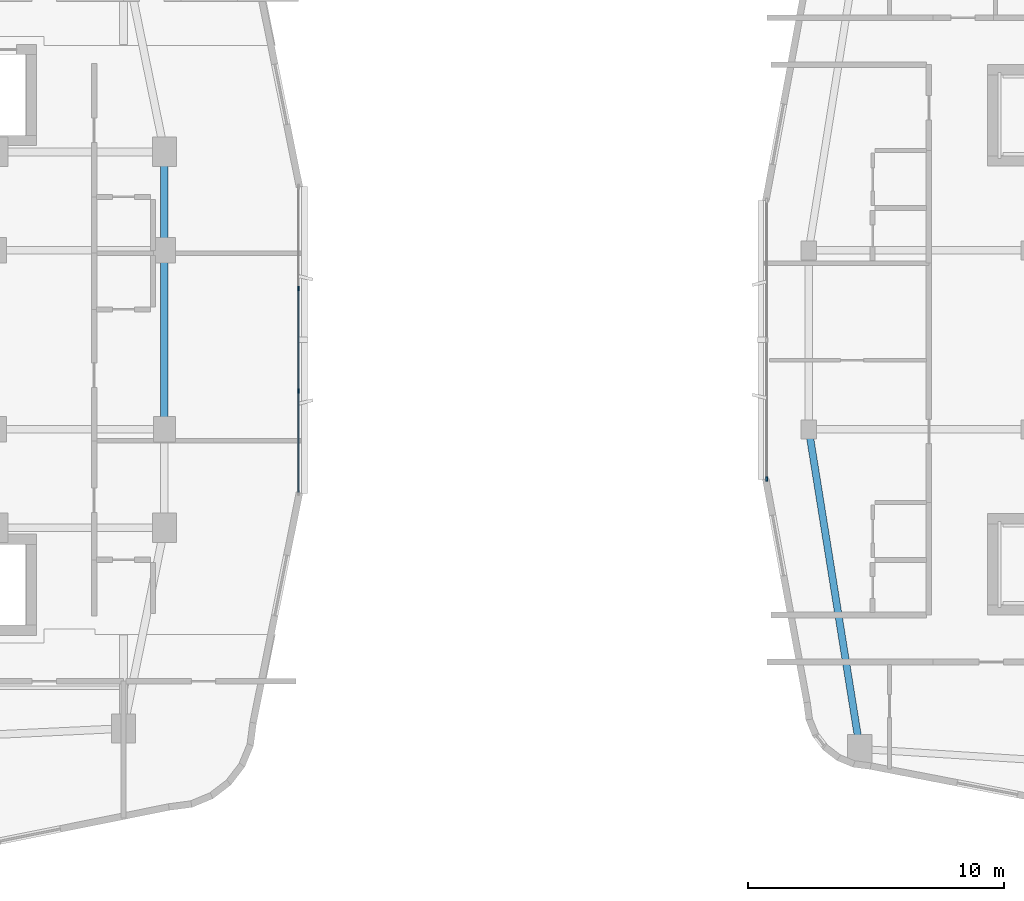
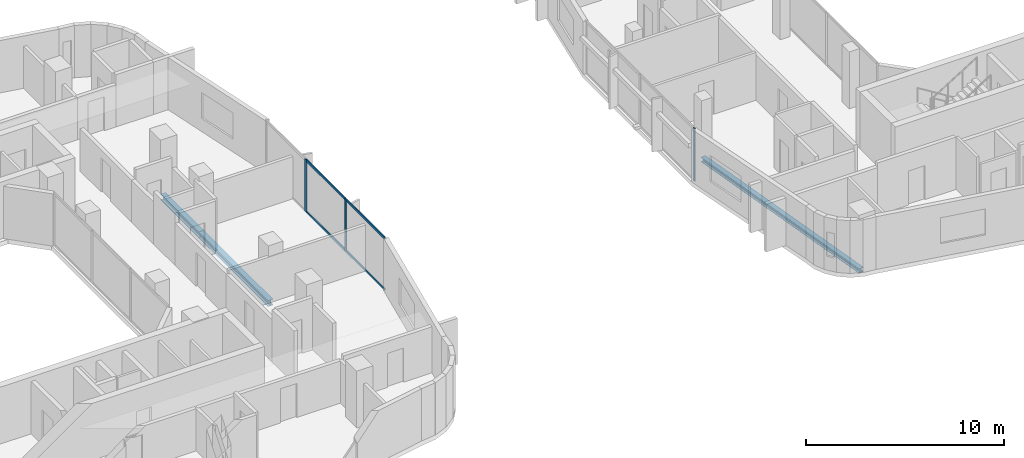
# One storey, part 5 of 26: 7 members, 3 beams, 2 elements without a shape of their own.
"""IFC4 building model written with IfcOpenShell, lengths in metres."""

from ifc_helpers import new_model, si_unit, derived_unit, direction, frame, origin, origin_2d, place, context, subcontext, project, spatial, rectangle, i_section, extrude, material, layer, layer_set, material_profile, profile_set, type_object, element, aggregate, save


model = new_model("IFC4")

# Units and contexts
model_context = context("Model", 3, precision=1e-05, world=origin(), true_north=direction((0.0, 1.0)))
body_context = subcontext(model_context, "Body", "Model", "MODEL_VIEW")
ifc_project = project(units=[si_unit("LENGTHUNIT", "METRE"), si_unit("AREAUNIT", "SQUARE_METRE"), si_unit("VOLUMEUNIT", "CUBIC_METRE"), si_unit("PLANEANGLEUNIT", "RADIAN"), si_unit("MASSUNIT", "GRAM", prefix="KILO"), derived_unit("THERMALTRANSMITTANCEUNIT", [(si_unit("POWERUNIT", "WATT"), 1), (si_unit("LENGTHUNIT", "METRE"), -2), (si_unit("THERMODYNAMICTEMPERATUREUNIT", "KELVIN"), -1)])], contexts=[model_context])

# Site, building, storey
site_placement = place(None, origin())
site = spatial("IfcSite", under=ifc_project, at=site_placement, CompositionType="ELEMENT")
building_placement = place(site_placement, origin())
building = spatial("IfcBuilding", under=site, at=building_placement, Name="Kivonza Crest Hotel", CompositionType="ELEMENT")
storey_placement = place(building_placement, frame((0.0, 0.0, 98.5)))
storey = spatial("IfcBuildingStorey", under=building, at=storey_placement, Name="L26", CompositionType="ELEMENT", Elevation=98.5)

# Beams
ifc_material_1 = material(Name="Steel S355", Category="steel")
ifc_material_profile_1 = material_profile(ifc_material_1, i_section(OverallWidth=0.280029296875, OverallDepth=0.280029296875, WebThickness=0.010498046875, FlangeThickness=0.01806640625, FilletRadius=0.02392578125, at=origin_2d()), Name="HEB 280")
ifc_profile_set_1 = profile_set([ifc_material_profile_1], Name="Steel S355")
beam_type_1 = type_object("IfcBeamType", Name="BM-HEB280", PredefinedType="SPANDREL", material=ifc_profile_set_1)
beam_1_placement = place(storey_placement, frame((61.0, 21.5, -0.389892578125), z_axis=(0.157990501107, -0.987440631917, 0.0), x_axis=(0.987440631917, 0.157990501107, 0.0)))
element("IfcBeam", 1, at=beam_1_placement, inside=storey, type_object=beam_type_1, Name="Companion Tower T2 L26 perimeter spandrel W1-SW", PredefinedType="SPANDREL", context=body_context, shape_type="SweptSolid", body=[
    extrude(i_section(OverallWidth=0.280029296875, OverallDepth=0.280029296875, WebThickness=0.010498046875, FlangeThickness=0.01806640625, FilletRadius=0.02392578125, at=origin_2d()), origin(), (0.0, 0.0, 1.0), 12.658935546875),
])
ifc_material_profile_2 = material_profile(ifc_material_1, i_section(OverallWidth=0.300048828125, OverallDepth=0.360107421875, WebThickness=0.012451171875, FlangeThickness=0.0224609375, FilletRadius=0.027099609375, at=origin_2d()), Name="HEB 360")
ifc_profile_set_2 = profile_set([ifc_material_profile_2], Name="Steel S355")
beam_type_2 = type_object("IfcBeamType", Name="BM-HEB360", PredefinedType="SPANDREL", material=ifc_profile_set_2)
beam_2_placement = place(storey_placement, frame((35.800048828125, 21.5, -0.4599609375), z_axis=(0.0, 1.0, 0.0), x_axis=(-1.0, 0.0, 0.0)))
element("IfcBeam", 2, at=beam_2_placement, inside=storey, type_object=beam_type_2, Name="Tower T1 L26 perimeter spandrel E1-E2", PredefinedType="SPANDREL", context=body_context, shape_type="SweptSolid", body=[
    extrude(i_section(OverallWidth=0.300048828125, OverallDepth=0.360107421875, WebThickness=0.012451171875, FlangeThickness=0.0224609375, FilletRadius=0.027099609375, at=origin_2d()), origin(), (0.0, 0.0, 1.0), 7.0),
])
beam_3_placement = place(storey_placement, frame((35.800048828125, 28.5, -0.4599609375), z_axis=(0.0, 1.0, 0.0), x_axis=(-1.0, 0.0, 0.0)))
element("IfcBeam", 3, at=beam_3_placement, inside=storey, type_object=beam_type_2, Name="Tower T1 L26 perimeter spandrel E2-PNE", PredefinedType="SPANDREL", context=body_context, shape_type="SweptSolid", body=[
    extrude(i_section(OverallWidth=0.300048828125, OverallDepth=0.360107421875, WebThickness=0.012451171875, FlangeThickness=0.0224609375, FilletRadius=0.027099609375, at=origin_2d()), origin(), (0.0, 0.0, 1.0), 3.85009765625),
])

# Curtain wall, members
ifc_material_2 = material(Name="Anodised bronze aluminium and low-E double glazing", Category="aluminium")
ifc_layer_1 = layer(ifc_material_2, 0.179931640625)
ifc_layer_set_1 = layer_set([ifc_layer_1], Name="Anodised bronze aluminium and low-E double glazing")
curtain_wall_type_1 = type_object("IfcCurtainWallType", Name="CW-SYS-2", PredefinedType="NOTDEFINED", material=ifc_layer_set_1)
curtain_wall_1_placement = place(storey_placement, origin())
curtain_wall_1 = element("IfcCurtainWall", 4, at=curtain_wall_1_placement, inside=storey, type_object=curtain_wall_type_1, Name="L26 unitised curtain wall CW-T1-L26-17", PredefinedType="NOTDEFINED")
ifc_material_3 = material(Name="Anodised bronze aluminium", Category="aluminium")
ifc_material_profile_3 = material_profile(ifc_material_3, rectangle(XDim=0.06494140625, YDim=0.179931640625, at=origin_2d()), Name="CW-M 65x180")
ifc_profile_set_3 = profile_set([ifc_material_profile_3], Name="Anodised bronze aluminium")
member_type_1 = type_object("IfcMemberType", Name="CW-MUL-65x180", PredefinedType="MULLION", material=ifc_profile_set_3)
member_1_placement = place(storey_placement, frame((41.0400390625, 22.993408203125, 0.0), z_axis=(0.0, 0.0, 1.0), x_axis=(-1.0, 0.0, 0.0)))
member_1 = element("IfcMember", 5, at=member_1_placement, type_object=member_type_1, Name="CW-2 mullion 2", PredefinedType="MULLION", context=body_context, shape_type="SweptSolid", body=[
    extrude(rectangle(XDim=0.06494140625, YDim=0.179931640625, at=origin_2d()), origin(), (0.0, 0.0, 1.0), 3.219970703125),
])
member_2_placement = place(storey_placement, frame((41.0400390625, 27.006591796875, 0.0), z_axis=(0.0, 0.0, 1.0), x_axis=(-1.0, 0.0, 0.0)))
member_2 = element("IfcMember", 6, at=member_2_placement, type_object=member_type_1, Name="CW-2 mullion 3", PredefinedType="MULLION", context=body_context, shape_type="SweptSolid", body=[
    extrude(rectangle(XDim=0.06494140625, YDim=0.179931640625, at=origin_2d()), origin(), (0.0, 0.0, 1.0), 3.219970703125),
])

# Curtain wall, member
ifc_layer_2 = layer(ifc_material_2, 0.179931640625)
ifc_layer_set_2 = layer_set([ifc_layer_2], Name="Anodised bronze aluminium and low-E double glazing")
curtain_wall_type_2 = type_object("IfcCurtainWallType", Name="CW-SYS-4", PredefinedType="NOTDEFINED", material=ifc_layer_set_2)
curtain_wall_2_placement = place(storey_placement, origin())
curtain_wall_2 = element("IfcCurtainWall", 7, at=curtain_wall_2_placement, inside=storey, type_object=curtain_wall_type_2, Name="L26 unitised curtain wall CW-T2-L26-35", PredefinedType="NOTDEFINED")
member_3_placement = place(storey_placement, frame((59.360107421875, 19.552490234375, 0.0), z_axis=(0.0, 0.0, 1.0), x_axis=(1.0, 0.0, 0.0)))
member_3 = element("IfcMember", 8, at=member_3_placement, type_object=member_type_1, Name="CW-4 mullion 3", PredefinedType="MULLION", context=body_context, shape_type="SweptSolid", body=[
    extrude(rectangle(XDim=0.06494140625, YDim=0.179931640625, at=origin_2d()), origin(), (0.0, 0.0, 1.0), 3.25),
])
aggregate(curtain_wall_2, [member_3])

# Member
ifc_material_profile_4 = material_profile(ifc_material_3, rectangle(XDim=0.06494140625, YDim=0.139892578125, at=origin_2d()), Name="CW-T 65x140")
ifc_profile_set_4 = profile_set([ifc_material_profile_4], Name="Anodised bronze aluminium")
member_type_2 = type_object("IfcMemberType", Name="CW-TRN-65x140", PredefinedType="USERDEFINED", material=ifc_profile_set_4)
member_4_placement = place(storey_placement, frame((41.0400390625, 19.044921875, 0.032470703125), z_axis=(0.0, 1.0, 0.0), x_axis=(-1.0, 0.0, 0.0)))
member_4 = element("IfcMember", 9, at=member_4_placement, type_object=member_type_2, Name="CW-2 transom 1.1", ObjectType="TRANSOM", PredefinedType="USERDEFINED", context=body_context, shape_type="SweptSolid", body=[
    extrude(rectangle(XDim=0.06494140625, YDim=0.139892578125, at=origin_2d()), origin(), (0.0, 0.0, 1.0), 3.916015625),
])

member_5_placement = place(storey_placement, frame((41.0400390625, 19.044921875, 3.1875), z_axis=(0.0, 1.0, 0.0), x_axis=(-1.0, 0.0, 0.0)))
member_5 = element("IfcMember", 10, at=member_5_placement, type_object=member_type_2, Name="CW-2 transom 1.2", ObjectType="TRANSOM", PredefinedType="USERDEFINED", context=body_context, shape_type="SweptSolid", body=[
    extrude(rectangle(XDim=0.06494140625, YDim=0.139892578125, at=origin_2d()), origin(), (0.0, 0.0, 1.0), 3.916015625),
])

member_6_placement = place(storey_placement, frame((41.0400390625, 23.02587890625, 0.032470703125), z_axis=(0.0, 1.0, 0.0), x_axis=(-1.0, 0.0, 0.0)))
member_6 = element("IfcMember", 11, at=member_6_placement, type_object=member_type_2, Name="CW-2 transom 2.1", ObjectType="TRANSOM", PredefinedType="USERDEFINED", context=body_context, shape_type="SweptSolid", body=[
    extrude(rectangle(XDim=0.06494140625, YDim=0.139892578125, at=origin_2d()), origin(), (0.0, 0.0, 1.0), 3.9482421875),
])

member_7_placement = place(storey_placement, frame((41.0400390625, 23.02587890625, 3.1875), z_axis=(0.0, 1.0, 0.0), x_axis=(-1.0, 0.0, 0.0)))
member_7 = element("IfcMember", 12, at=member_7_placement, type_object=member_type_2, Name="CW-2 transom 2.2", ObjectType="TRANSOM", PredefinedType="USERDEFINED", context=body_context, shape_type="SweptSolid", body=[
    extrude(rectangle(XDim=0.06494140625, YDim=0.139892578125, at=origin_2d()), origin(), (0.0, 0.0, 1.0), 3.9482421875),
])

aggregate(curtain_wall_1, [member_1, member_2, member_4, member_5, member_6, member_7])

save(model, "model.ifc")
